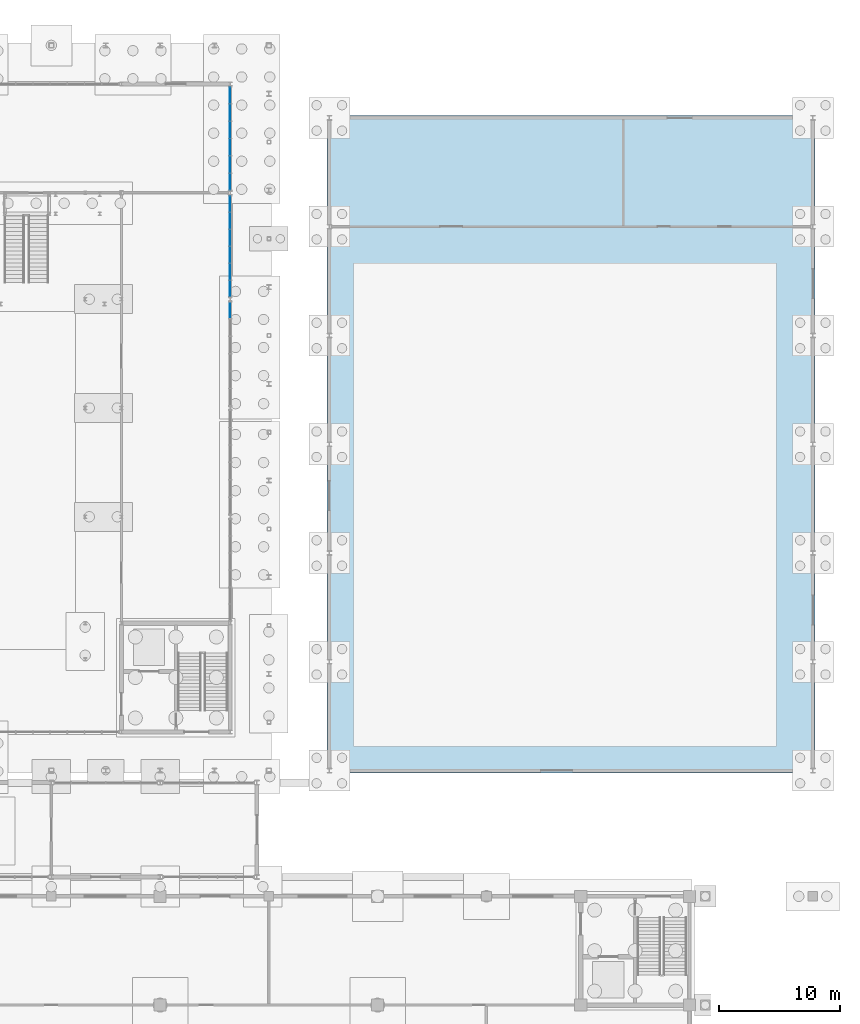
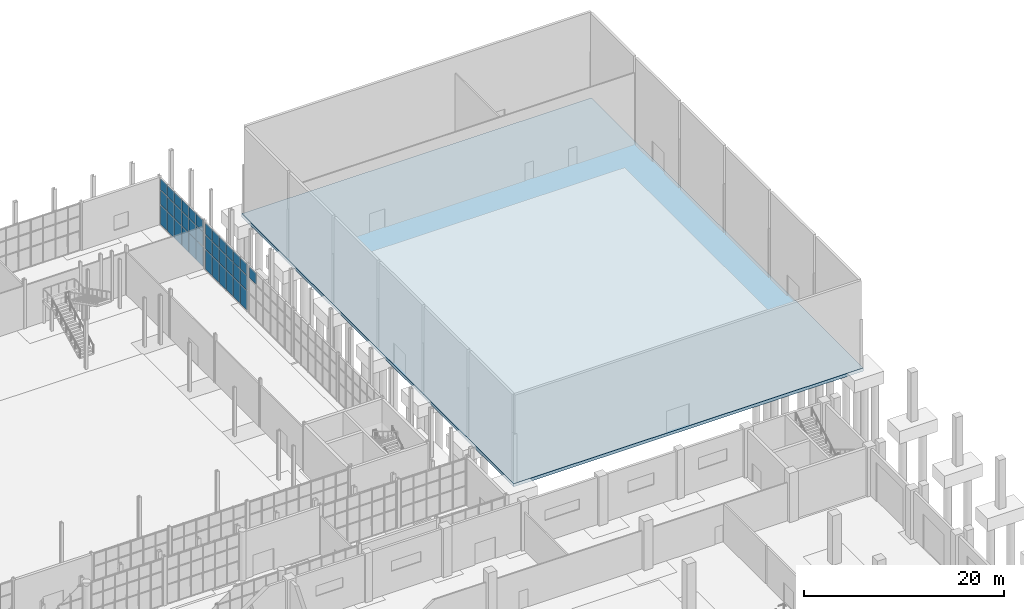
# One storey, part 96 of 131: 37 plates, 1 slab, 3 elements without a shape of their own.
"""IFC4 building model written with IfcOpenShell, lengths in metres."""

from ifc_helpers import new_model, si_unit, direction, frame, origin, origin_2d, place, context, subcontext, project, spatial, polyline, rectangle, outline, extrude, material, layer, layer_set, type_object, element, aggregate, save


model = new_model("IFC4")

# Units and contexts
model_context = context("Model", 3, precision=1e-05, world=origin(), true_north=direction((0.0, 1.0)))
body_context = subcontext(model_context, "Body", "Model", "MODEL_VIEW")
ifc_project = project(units=[si_unit("LENGTHUNIT", "METRE"), si_unit("AREAUNIT", "SQUARE_METRE"), si_unit("VOLUMEUNIT", "CUBIC_METRE"), si_unit("PLANEANGLEUNIT", "RADIAN"), si_unit("MASSUNIT", "GRAM", prefix="KILO")], contexts=[model_context])

# Site, building, storey
site_placement = place(None, origin())
site = spatial("IfcSite", under=ifc_project, at=site_placement, CompositionType="ELEMENT")
building_placement = place(site_placement, origin())
building = spatial("IfcBuilding", under=site, at=building_placement, Name="Cazmaro Siding Exhibition Halls", CompositionType="ELEMENT")
storey_placement = place(building_placement, origin())
storey = spatial("IfcBuildingStorey", under=building, at=storey_placement, Name="L00", CompositionType="ELEMENT", Elevation=0.0)

# Slab
ifc_material_1 = material(Name="Concrete f'c 35 MPa", Category="concrete")
ifc_layer_1 = layer(ifc_material_1, 0.3798828125)
ifc_layer_set_1 = layer_set([ifc_layer_1], Name="Concrete f'c 35 MPa")
slab_type = type_object("IfcSlabType", Name="BS-04", PredefinedType="BASESLAB", material=ifc_layer_set_1)
slab_placement = place(storey_placement, frame((0.0, 0.0, -0.3798828125)))
element("IfcSlab", 1, at=slab_placement, inside=storey, type_object=slab_type, Name="Sawtooth Hall C base slab BS-04 SLB-0006", PredefinedType="BASESLAB", context=body_context, shape_type="SweptSolid", body=[
    extrude(outline(polyline([(175.800048828125, 63.800048828125), (216.199951171875, 63.800048828125), (216.199951171875, 118.199951171875), (175.800048828125, 118.199951171875), (175.800048828125, 63.800048828125)])), origin(), (0.0, 0.0, 1.0), 0.3798828125),
])

# Curtain wall, plate
ifc_material_2 = material(Name="Anodized Bronze Aluminum and Solar-Control Low-E Glazing", Category="aluminium")
ifc_layer_2 = layer(ifc_material_2, 0.219970703125)
ifc_layer_set_2 = layer_set([ifc_layer_2], Name="Anodized Bronze Aluminum and Solar-Control Low-E Glazing")
curtain_wall_type = type_object("IfcCurtainWallType", Name="CWS-03", PredefinedType="USERDEFINED", material=ifc_layer_set_2)
curtain_wall_1_placement = place(storey_placement, origin())
curtain_wall_1 = element("IfcCurtainWall", 2, at=curtain_wall_1_placement, inside=storey, type_object=curtain_wall_type, Name="Glazed Curtain Wall CWS-03 CW-071", ObjectType="GLAZED CURTAIN WALL", PredefinedType="USERDEFINED")
ifc_material_3 = material(Name="Solar-Control Low-E Double Insulating Glass", Category="glass")
ifc_layer_3 = layer(ifc_material_3, 0.0458984375)
ifc_layer_set_3 = layer_set([ifc_layer_3], Name="Solar-Control Low-E Double Insulating Glass")
plate_type = type_object("IfcPlateType", Name="CWP-03", PredefinedType="CURTAIN_PANEL", material=ifc_layer_set_3)
plate_1_placement = place(storey_placement, frame((167.800048828125, 102.0849609375, 4.3349609375), z_axis=(0.0, 0.0, 1.0), x_axis=(0.0, 1.0, 0.0)))
plate_1 = element("IfcPlate", 3, at=plate_1_placement, type_object=plate_type, Name="CWS-03 panel 6.3", PredefinedType="CURTAIN_PANEL", context=body_context, shape_type="SweptSolid", body=[
    extrude(rectangle(XDim=1.3359375, YDim=0.0458984375, at=origin_2d()), origin(), (0.0, 0.0, 1.0), 1.375),
])
aggregate(curtain_wall_1, [plate_1])

# Curtain wall, plates
curtain_wall_2_placement = place(storey_placement, origin())
curtain_wall_2 = element("IfcCurtainWall", 4, at=curtain_wall_2_placement, inside=storey, type_object=curtain_wall_type, Name="Glazed Curtain Wall CWS-03 CW-074", ObjectType="GLAZED CURTAIN WALL", PredefinedType="USERDEFINED")
plate_2_placement = place(storey_placement, frame((167.800048828125, 103.896484375, 0.070068359375), z_axis=(0.0, 0.0, 1.0), x_axis=(0.0, 1.0, 0.0)))
plate_2 = element("IfcPlate", 5, at=plate_2_placement, type_object=plate_type, Name="CWS-03 panel 1.1", PredefinedType="CURTAIN_PANEL", context=body_context, shape_type="SweptSolid", body=[
    extrude(rectangle(XDim=1.299072265625, YDim=0.0458984375, at=origin_2d()), origin(), (0.0, 0.0, 1.0), 2.39501953125),
])
plate_3_placement = place(storey_placement, frame((167.800048828125, 103.896484375, 2.534912109375), z_axis=(0.0, 0.0, 1.0), x_axis=(0.0, 1.0, 0.0)))
plate_3 = element("IfcPlate", 6, at=plate_3_placement, type_object=plate_type, Name="CWS-03 panel 1.2", PredefinedType="CURTAIN_PANEL", context=body_context, shape_type="SweptSolid", body=[
    extrude(rectangle(XDim=1.299072265625, YDim=0.0458984375, at=origin_2d()), origin(), (0.0, 0.0, 1.0), 1.72998046875),
])
plate_4_placement = place(storey_placement, frame((167.800048828125, 103.896484375, 4.3349609375), z_axis=(0.0, 0.0, 1.0), x_axis=(0.0, 1.0, 0.0)))
plate_4 = element("IfcPlate", 7, at=plate_4_placement, type_object=plate_type, Name="CWS-03 panel 1.3", PredefinedType="CURTAIN_PANEL", context=body_context, shape_type="SweptSolid", body=[
    extrude(rectangle(XDim=1.299072265625, YDim=0.0458984375, at=origin_2d()), origin(), (0.0, 0.0, 1.0), 1.375),
])
plate_5_placement = place(storey_placement, frame((167.800048828125, 105.283203125, 0.070068359375), z_axis=(0.0, 0.0, 1.0), x_axis=(0.0, 1.0, 0.0)))
plate_5 = element("IfcPlate", 8, at=plate_5_placement, type_object=plate_type, Name="CWS-03 panel 2.1", PredefinedType="CURTAIN_PANEL", context=body_context, shape_type="SweptSolid", body=[
    extrude(rectangle(XDim=1.334228515625, YDim=0.0458984375, at=origin_2d()), origin(), (0.0, 0.0, 1.0), 2.39501953125),
])
plate_6_placement = place(storey_placement, frame((167.800048828125, 105.283203125, 2.534912109375), z_axis=(0.0, 0.0, 1.0), x_axis=(0.0, 1.0, 0.0)))
plate_6 = element("IfcPlate", 9, at=plate_6_placement, type_object=plate_type, Name="CWS-03 panel 2.2", PredefinedType="CURTAIN_PANEL", context=body_context, shape_type="SweptSolid", body=[
    extrude(rectangle(XDim=1.334228515625, YDim=0.0458984375, at=origin_2d()), origin(), (0.0, 0.0, 1.0), 1.72998046875),
])
plate_7_placement = place(storey_placement, frame((167.800048828125, 105.283203125, 4.3349609375), z_axis=(0.0, 0.0, 1.0), x_axis=(0.0, 1.0, 0.0)))
plate_7 = element("IfcPlate", 10, at=plate_7_placement, type_object=plate_type, Name="CWS-03 panel 2.3", PredefinedType="CURTAIN_PANEL", context=body_context, shape_type="SweptSolid", body=[
    extrude(rectangle(XDim=1.334228515625, YDim=0.0458984375, at=origin_2d()), origin(), (0.0, 0.0, 1.0), 1.375),
])
plate_8_placement = place(storey_placement, frame((167.800048828125, 106.6875, 0.070068359375), z_axis=(0.0, 0.0, 1.0), x_axis=(0.0, 1.0, 0.0)))
plate_8 = element("IfcPlate", 11, at=plate_8_placement, type_object=plate_type, Name="CWS-03 panel 3.1", PredefinedType="CURTAIN_PANEL", context=body_context, shape_type="SweptSolid", body=[
    extrude(rectangle(XDim=1.334228515625, YDim=0.0458984375, at=origin_2d()), origin(), (0.0, 0.0, 1.0), 2.39501953125),
])
plate_9_placement = place(storey_placement, frame((167.800048828125, 106.6875, 2.534912109375), z_axis=(0.0, 0.0, 1.0), x_axis=(0.0, 1.0, 0.0)))
plate_9 = element("IfcPlate", 12, at=plate_9_placement, type_object=plate_type, Name="CWS-03 panel 3.2", PredefinedType="CURTAIN_PANEL", context=body_context, shape_type="SweptSolid", body=[
    extrude(rectangle(XDim=1.334228515625, YDim=0.0458984375, at=origin_2d()), origin(), (0.0, 0.0, 1.0), 1.72998046875),
])
plate_10_placement = place(storey_placement, frame((167.800048828125, 106.6875, 4.3349609375), z_axis=(0.0, 0.0, 1.0), x_axis=(0.0, 1.0, 0.0)))
plate_10 = element("IfcPlate", 13, at=plate_10_placement, type_object=plate_type, Name="CWS-03 panel 3.3", PredefinedType="CURTAIN_PANEL", context=body_context, shape_type="SweptSolid", body=[
    extrude(rectangle(XDim=1.334228515625, YDim=0.0458984375, at=origin_2d()), origin(), (0.0, 0.0, 1.0), 1.375),
])
plate_11_placement = place(storey_placement, frame((167.800048828125, 108.091552734375, 0.070068359375), z_axis=(0.0, 0.0, 1.0), x_axis=(0.0, 1.0, 0.0)))
plate_11 = element("IfcPlate", 14, at=plate_11_placement, type_object=plate_type, Name="CWS-03 panel 4.1", PredefinedType="CURTAIN_PANEL", context=body_context, shape_type="SweptSolid", body=[
    extrude(rectangle(XDim=1.334228515625, YDim=0.0458984375, at=origin_2d()), origin(), (0.0, 0.0, 1.0), 2.39501953125),
])
plate_12_placement = place(storey_placement, frame((167.800048828125, 108.091552734375, 2.534912109375), z_axis=(0.0, 0.0, 1.0), x_axis=(0.0, 1.0, 0.0)))
plate_12 = element("IfcPlate", 15, at=plate_12_placement, type_object=plate_type, Name="CWS-03 panel 4.2", PredefinedType="CURTAIN_PANEL", context=body_context, shape_type="SweptSolid", body=[
    extrude(rectangle(XDim=1.334228515625, YDim=0.0458984375, at=origin_2d()), origin(), (0.0, 0.0, 1.0), 1.72998046875),
])
plate_13_placement = place(storey_placement, frame((167.800048828125, 108.091552734375, 4.3349609375), z_axis=(0.0, 0.0, 1.0), x_axis=(0.0, 1.0, 0.0)))
plate_13 = element("IfcPlate", 16, at=plate_13_placement, type_object=plate_type, Name="CWS-03 panel 4.3", PredefinedType="CURTAIN_PANEL", context=body_context, shape_type="SweptSolid", body=[
    extrude(rectangle(XDim=1.334228515625, YDim=0.0458984375, at=origin_2d()), origin(), (0.0, 0.0, 1.0), 1.375),
])
plate_14_placement = place(storey_placement, frame((167.800048828125, 109.495849609375, 0.070068359375), z_axis=(0.0, 0.0, 1.0), x_axis=(0.0, 1.0, 0.0)))
plate_14 = element("IfcPlate", 17, at=plate_14_placement, type_object=plate_type, Name="CWS-03 panel 5.1", PredefinedType="CURTAIN_PANEL", context=body_context, shape_type="SweptSolid", body=[
    extrude(rectangle(XDim=1.334228515625, YDim=0.0458984375, at=origin_2d()), origin(), (0.0, 0.0, 1.0), 2.39501953125),
])
plate_15_placement = place(storey_placement, frame((167.800048828125, 109.495849609375, 2.534912109375), z_axis=(0.0, 0.0, 1.0), x_axis=(0.0, 1.0, 0.0)))
plate_15 = element("IfcPlate", 18, at=plate_15_placement, type_object=plate_type, Name="CWS-03 panel 5.2", PredefinedType="CURTAIN_PANEL", context=body_context, shape_type="SweptSolid", body=[
    extrude(rectangle(XDim=1.334228515625, YDim=0.0458984375, at=origin_2d()), origin(), (0.0, 0.0, 1.0), 1.72998046875),
])
plate_16_placement = place(storey_placement, frame((167.800048828125, 109.495849609375, 4.3349609375), z_axis=(0.0, 0.0, 1.0), x_axis=(0.0, 1.0, 0.0)))
plate_16 = element("IfcPlate", 19, at=plate_16_placement, type_object=plate_type, Name="CWS-03 panel 5.3", PredefinedType="CURTAIN_PANEL", context=body_context, shape_type="SweptSolid", body=[
    extrude(rectangle(XDim=1.334228515625, YDim=0.0458984375, at=origin_2d()), origin(), (0.0, 0.0, 1.0), 1.375),
])
plate_17_placement = place(storey_placement, frame((167.800048828125, 110.88232421875, 0.070068359375), z_axis=(0.0, 0.0, 1.0), x_axis=(0.0, 1.0, 0.0)))
plate_17 = element("IfcPlate", 20, at=plate_17_placement, type_object=plate_type, Name="CWS-03 panel 6.1", PredefinedType="CURTAIN_PANEL", context=body_context, shape_type="SweptSolid", body=[
    extrude(rectangle(XDim=1.299072265625, YDim=0.0458984375, at=origin_2d()), origin(), (0.0, 0.0, 1.0), 2.39501953125),
])
plate_18_placement = place(storey_placement, frame((167.800048828125, 110.88232421875, 2.534912109375), z_axis=(0.0, 0.0, 1.0), x_axis=(0.0, 1.0, 0.0)))
plate_18 = element("IfcPlate", 21, at=plate_18_placement, type_object=plate_type, Name="CWS-03 panel 6.2", PredefinedType="CURTAIN_PANEL", context=body_context, shape_type="SweptSolid", body=[
    extrude(rectangle(XDim=1.299072265625, YDim=0.0458984375, at=origin_2d()), origin(), (0.0, 0.0, 1.0), 1.72998046875),
])
plate_19_placement = place(storey_placement, frame((167.800048828125, 110.88232421875, 4.3349609375), z_axis=(0.0, 0.0, 1.0), x_axis=(0.0, 1.0, 0.0)))
plate_19 = element("IfcPlate", 22, at=plate_19_placement, type_object=plate_type, Name="CWS-03 panel 6.3", PredefinedType="CURTAIN_PANEL", context=body_context, shape_type="SweptSolid", body=[
    extrude(rectangle(XDim=1.299072265625, YDim=0.0458984375, at=origin_2d()), origin(), (0.0, 0.0, 1.0), 1.375),
])
aggregate(curtain_wall_2, [plate_2, plate_3, plate_4, plate_5, plate_6, plate_7, plate_8, plate_9, plate_10, plate_11, plate_12, plate_13, plate_14, plate_15, plate_16, plate_17, plate_18, plate_19])

curtain_wall_3_placement = place(storey_placement, origin())
curtain_wall_3 = element("IfcCurtainWall", 23, at=curtain_wall_3_placement, inside=storey, type_object=curtain_wall_type, Name="Glazed Curtain Wall CWS-03 CW-077", ObjectType="GLAZED CURTAIN WALL", PredefinedType="USERDEFINED")
plate_20_placement = place(storey_placement, frame((167.800048828125, 112.732421875, 0.070068359375), z_axis=(0.0, 0.0, 1.0), x_axis=(0.0, 1.0, 0.0)))
plate_20 = element("IfcPlate", 24, at=plate_20_placement, type_object=plate_type, Name="CWS-03 panel 1.1", PredefinedType="CURTAIN_PANEL", context=body_context, shape_type="SweptSolid", body=[
    extrude(rectangle(XDim=1.3291015625, YDim=0.0458984375, at=origin_2d()), origin(), (0.0, 0.0, 1.0), 2.39501953125),
])
plate_21_placement = place(storey_placement, frame((167.800048828125, 112.732421875, 2.534912109375), z_axis=(0.0, 0.0, 1.0), x_axis=(0.0, 1.0, 0.0)))
plate_21 = element("IfcPlate", 25, at=plate_21_placement, type_object=plate_type, Name="CWS-03 panel 1.2", PredefinedType="CURTAIN_PANEL", context=body_context, shape_type="SweptSolid", body=[
    extrude(rectangle(XDim=1.3291015625, YDim=0.0458984375, at=origin_2d()), origin(), (0.0, 0.0, 1.0), 1.72998046875),
])
plate_22_placement = place(storey_placement, frame((167.800048828125, 112.732421875, 4.3349609375), z_axis=(0.0, 0.0, 1.0), x_axis=(0.0, 1.0, 0.0)))
plate_22 = element("IfcPlate", 26, at=plate_22_placement, type_object=plate_type, Name="CWS-03 panel 1.3", PredefinedType="CURTAIN_PANEL", context=body_context, shape_type="SweptSolid", body=[
    extrude(rectangle(XDim=1.3291015625, YDim=0.0458984375, at=origin_2d()), origin(), (0.0, 0.0, 1.0), 1.375),
])
plate_23_placement = place(storey_placement, frame((167.800048828125, 114.14892578125, 0.070068359375), z_axis=(0.0, 0.0, 1.0), x_axis=(0.0, 1.0, 0.0)))
plate_23 = element("IfcPlate", 27, at=plate_23_placement, type_object=plate_type, Name="CWS-03 panel 2.1", PredefinedType="CURTAIN_PANEL", context=body_context, shape_type="SweptSolid", body=[
    extrude(rectangle(XDim=1.364013671875, YDim=0.0458984375, at=origin_2d()), origin(), (0.0, 0.0, 1.0), 2.39501953125),
])
plate_24_placement = place(storey_placement, frame((167.800048828125, 114.14892578125, 2.534912109375), z_axis=(0.0, 0.0, 1.0), x_axis=(0.0, 1.0, 0.0)))
plate_24 = element("IfcPlate", 28, at=plate_24_placement, type_object=plate_type, Name="CWS-03 panel 2.2", PredefinedType="CURTAIN_PANEL", context=body_context, shape_type="SweptSolid", body=[
    extrude(rectangle(XDim=1.364013671875, YDim=0.0458984375, at=origin_2d()), origin(), (0.0, 0.0, 1.0), 1.72998046875),
])
plate_25_placement = place(storey_placement, frame((167.800048828125, 114.14892578125, 4.3349609375), z_axis=(0.0, 0.0, 1.0), x_axis=(0.0, 1.0, 0.0)))
plate_25 = element("IfcPlate", 29, at=plate_25_placement, type_object=plate_type, Name="CWS-03 panel 2.3", PredefinedType="CURTAIN_PANEL", context=body_context, shape_type="SweptSolid", body=[
    extrude(rectangle(XDim=1.364013671875, YDim=0.0458984375, at=origin_2d()), origin(), (0.0, 0.0, 1.0), 1.375),
])
plate_26_placement = place(storey_placement, frame((167.800048828125, 115.5830078125, 0.070068359375), z_axis=(0.0, 0.0, 1.0), x_axis=(0.0, 1.0, 0.0)))
plate_26 = element("IfcPlate", 30, at=plate_26_placement, type_object=plate_type, Name="CWS-03 panel 3.1", PredefinedType="CURTAIN_PANEL", context=body_context, shape_type="SweptSolid", body=[
    extrude(rectangle(XDim=1.364013671875, YDim=0.0458984375, at=origin_2d()), origin(), (0.0, 0.0, 1.0), 2.39501953125),
])
plate_27_placement = place(storey_placement, frame((167.800048828125, 115.5830078125, 2.534912109375), z_axis=(0.0, 0.0, 1.0), x_axis=(0.0, 1.0, 0.0)))
plate_27 = element("IfcPlate", 31, at=plate_27_placement, type_object=plate_type, Name="CWS-03 panel 3.2", PredefinedType="CURTAIN_PANEL", context=body_context, shape_type="SweptSolid", body=[
    extrude(rectangle(XDim=1.364013671875, YDim=0.0458984375, at=origin_2d()), origin(), (0.0, 0.0, 1.0), 1.72998046875),
])
plate_28_placement = place(storey_placement, frame((167.800048828125, 115.5830078125, 4.3349609375), z_axis=(0.0, 0.0, 1.0), x_axis=(0.0, 1.0, 0.0)))
plate_28 = element("IfcPlate", 32, at=plate_28_placement, type_object=plate_type, Name="CWS-03 panel 3.3", PredefinedType="CURTAIN_PANEL", context=body_context, shape_type="SweptSolid", body=[
    extrude(rectangle(XDim=1.364013671875, YDim=0.0458984375, at=origin_2d()), origin(), (0.0, 0.0, 1.0), 1.375),
])
plate_29_placement = place(storey_placement, frame((167.800048828125, 117.01708984375, 0.070068359375), z_axis=(0.0, 0.0, 1.0), x_axis=(0.0, 1.0, 0.0)))
plate_29 = element("IfcPlate", 33, at=plate_29_placement, type_object=plate_type, Name="CWS-03 panel 4.1", PredefinedType="CURTAIN_PANEL", context=body_context, shape_type="SweptSolid", body=[
    extrude(rectangle(XDim=1.364013671875, YDim=0.0458984375, at=origin_2d()), origin(), (0.0, 0.0, 1.0), 2.39501953125),
])
plate_30_placement = place(storey_placement, frame((167.800048828125, 117.01708984375, 2.534912109375), z_axis=(0.0, 0.0, 1.0), x_axis=(0.0, 1.0, 0.0)))
plate_30 = element("IfcPlate", 34, at=plate_30_placement, type_object=plate_type, Name="CWS-03 panel 4.2", PredefinedType="CURTAIN_PANEL", context=body_context, shape_type="SweptSolid", body=[
    extrude(rectangle(XDim=1.364013671875, YDim=0.0458984375, at=origin_2d()), origin(), (0.0, 0.0, 1.0), 1.72998046875),
])
plate_31_placement = place(storey_placement, frame((167.800048828125, 117.01708984375, 4.3349609375), z_axis=(0.0, 0.0, 1.0), x_axis=(0.0, 1.0, 0.0)))
plate_31 = element("IfcPlate", 35, at=plate_31_placement, type_object=plate_type, Name="CWS-03 panel 4.3", PredefinedType="CURTAIN_PANEL", context=body_context, shape_type="SweptSolid", body=[
    extrude(rectangle(XDim=1.364013671875, YDim=0.0458984375, at=origin_2d()), origin(), (0.0, 0.0, 1.0), 1.375),
])
plate_32_placement = place(storey_placement, frame((167.800048828125, 118.450927734375, 0.070068359375), z_axis=(0.0, 0.0, 1.0), x_axis=(0.0, 1.0, 0.0)))
plate_32 = element("IfcPlate", 36, at=plate_32_placement, type_object=plate_type, Name="CWS-03 panel 5.1", PredefinedType="CURTAIN_PANEL", context=body_context, shape_type="SweptSolid", body=[
    extrude(rectangle(XDim=1.364013671875, YDim=0.0458984375, at=origin_2d()), origin(), (0.0, 0.0, 1.0), 2.39501953125),
])
plate_33_placement = place(storey_placement, frame((167.800048828125, 118.450927734375, 2.534912109375), z_axis=(0.0, 0.0, 1.0), x_axis=(0.0, 1.0, 0.0)))
plate_33 = element("IfcPlate", 37, at=plate_33_placement, type_object=plate_type, Name="CWS-03 panel 5.2", PredefinedType="CURTAIN_PANEL", context=body_context, shape_type="SweptSolid", body=[
    extrude(rectangle(XDim=1.364013671875, YDim=0.0458984375, at=origin_2d()), origin(), (0.0, 0.0, 1.0), 1.72998046875),
])
plate_34_placement = place(storey_placement, frame((167.800048828125, 118.450927734375, 4.3349609375), z_axis=(0.0, 0.0, 1.0), x_axis=(0.0, 1.0, 0.0)))
plate_34 = element("IfcPlate", 38, at=plate_34_placement, type_object=plate_type, Name="CWS-03 panel 5.3", PredefinedType="CURTAIN_PANEL", context=body_context, shape_type="SweptSolid", body=[
    extrude(rectangle(XDim=1.364013671875, YDim=0.0458984375, at=origin_2d()), origin(), (0.0, 0.0, 1.0), 1.375),
])
plate_35_placement = place(storey_placement, frame((167.800048828125, 119.867431640625, 0.070068359375), z_axis=(0.0, 0.0, 1.0), x_axis=(0.0, 1.0, 0.0)))
plate_35 = element("IfcPlate", 39, at=plate_35_placement, type_object=plate_type, Name="CWS-03 panel 6.1", PredefinedType="CURTAIN_PANEL", context=body_context, shape_type="SweptSolid", body=[
    extrude(rectangle(XDim=1.3291015625, YDim=0.0458984375, at=origin_2d()), origin(), (0.0, 0.0, 1.0), 2.39501953125),
])
plate_36_placement = place(storey_placement, frame((167.800048828125, 119.867431640625, 2.534912109375), z_axis=(0.0, 0.0, 1.0), x_axis=(0.0, 1.0, 0.0)))
plate_36 = element("IfcPlate", 40, at=plate_36_placement, type_object=plate_type, Name="CWS-03 panel 6.2", PredefinedType="CURTAIN_PANEL", context=body_context, shape_type="SweptSolid", body=[
    extrude(rectangle(XDim=1.3291015625, YDim=0.0458984375, at=origin_2d()), origin(), (0.0, 0.0, 1.0), 1.72998046875),
])
plate_37_placement = place(storey_placement, frame((167.800048828125, 119.867431640625, 4.3349609375), z_axis=(0.0, 0.0, 1.0), x_axis=(0.0, 1.0, 0.0)))
plate_37 = element("IfcPlate", 41, at=plate_37_placement, type_object=plate_type, Name="CWS-03 panel 6.3", PredefinedType="CURTAIN_PANEL", context=body_context, shape_type="SweptSolid", body=[
    extrude(rectangle(XDim=1.3291015625, YDim=0.0458984375, at=origin_2d()), origin(), (0.0, 0.0, 1.0), 1.375),
])
aggregate(curtain_wall_3, [plate_20, plate_21, plate_22, plate_23, plate_24, plate_25, plate_26, plate_27, plate_28, plate_29, plate_30, plate_31, plate_32, plate_33, plate_34, plate_35, plate_36, plate_37])

save(model, "model.ifc")
